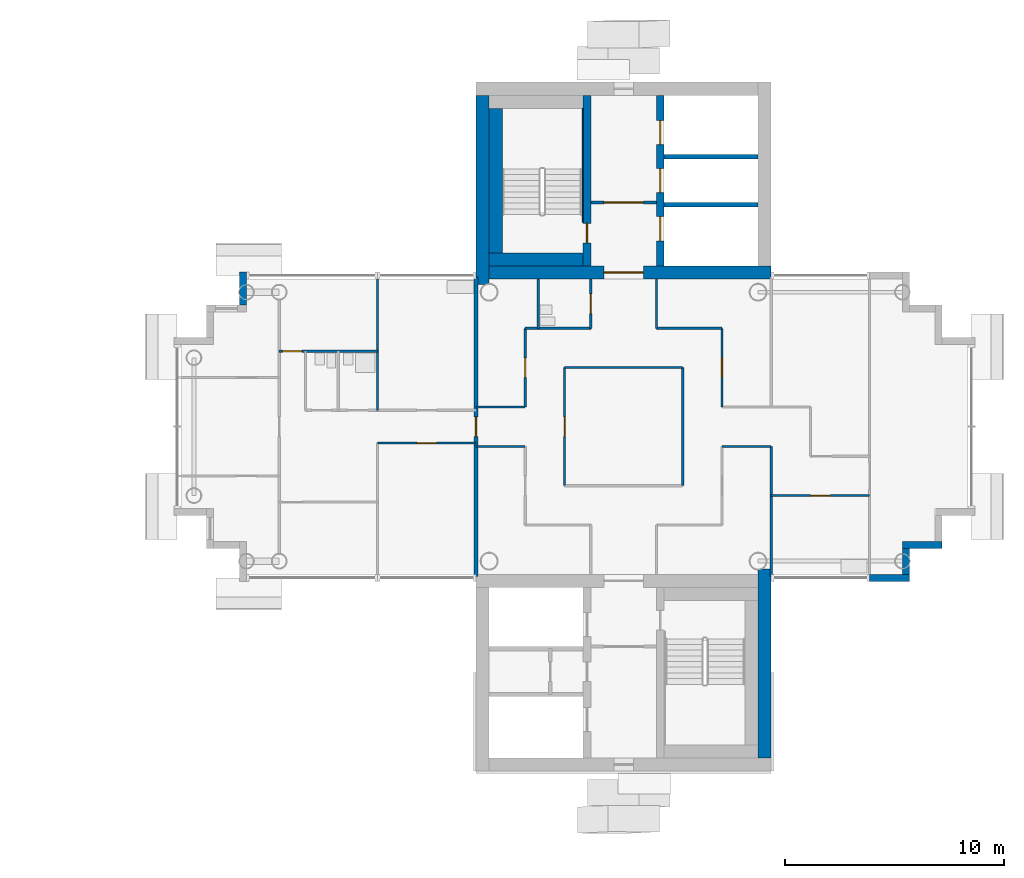
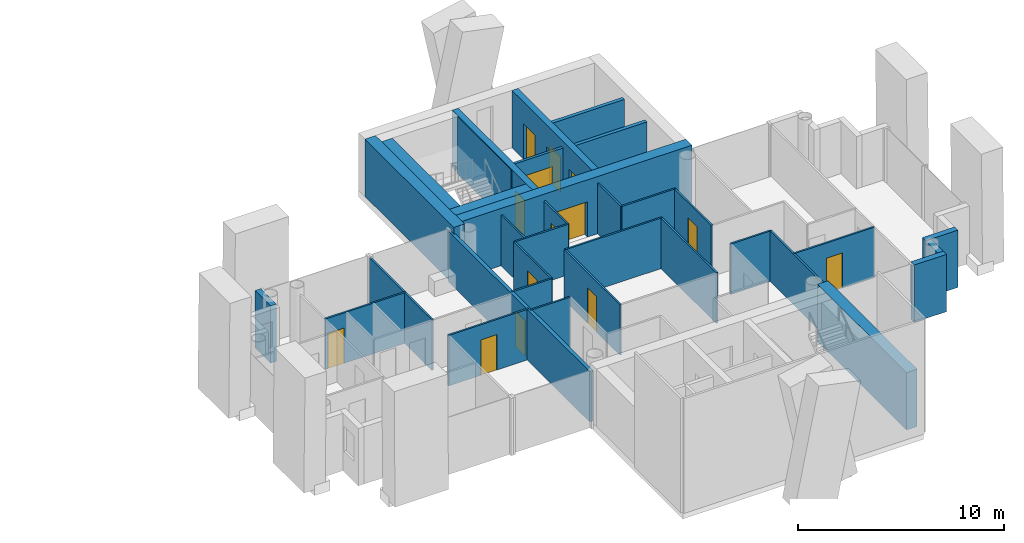
# One storey, part 10 of 18: 34 walls, 14 doors, 14 openings.
"""IFC4 building model written with IfcOpenShell, lengths in metres."""

from ifc_helpers import new_model, si_unit, direction, frame, frame_2d, origin, place, context, subcontext, project, spatial, rectangle, extrude, material, layer, layer_set, type_object, element, fill, save


model = new_model("IFC4")

# Units and contexts
model_context = context("Model", 3, precision=1e-05, world=origin(), true_north=direction((0.0, 1.0)))
body_context = subcontext(model_context, "Body", "Model", "MODEL_VIEW")
ifc_project = project(units=[si_unit("LENGTHUNIT", "METRE"), si_unit("AREAUNIT", "SQUARE_METRE"), si_unit("VOLUMEUNIT", "CUBIC_METRE"), si_unit("PLANEANGLEUNIT", "RADIAN"), si_unit("MASSUNIT", "GRAM", prefix="KILO")], contexts=[model_context])

# Site, building, storey
site_placement = place(None, origin())
site = spatial("IfcSite", under=ifc_project, at=site_placement, CompositionType="ELEMENT")
building_placement = place(site_placement, origin())
building = spatial("IfcBuilding", under=site, at=building_placement, Name="Ipe Terrace Towers", CompositionType="ELEMENT")
storey_placement = place(building_placement, frame((0.0, 0.0, 202.800048828125)))
storey = spatial("IfcBuildingStorey", under=building, at=storey_placement, Name="L56", CompositionType="ELEMENT", Elevation=202.800048828125)

# Walls
ifc_material_1 = material(Name="Concrete C40/50 with buff precast cladding", Category="concrete")
ifc_layer_1 = layer(ifc_material_1, 0.320068359375)
ifc_layer_set_1 = layer_set([ifc_layer_1], Name="BUFF CLADDING WALL 320")
wall_type_1 = type_object("IfcWallType", Name="BUFF CLADDING WALL 320", PredefinedType="STANDARD", material=ifc_layer_set_1)
wall_1_placement = place(storey_placement, frame((47.25, -6.909912109375, -0.300048828125), z_axis=(0.0, 0.0, 1.0), x_axis=(1.0, 0.0, 0.0)))
element("IfcWall", 1, at=wall_1_placement, inside=storey, type_object=wall_type_1, Name="T2-W-L56-03a wall", PredefinedType="STANDARD", context=body_context, shape_type="SweptSolid", body=[
    extrude(rectangle(XDim=1.820068359375, YDim=0.320068359375, at=frame_2d((0.91015625, 0.0))), origin(), (0.0, 0.0, 1.0), 3.39990234375),
])
wall_2_placement = place(storey_placement, frame((48.909912109375, -6.75, -0.300048828125), z_axis=(0.0, 0.0, 1.0), x_axis=(0.0, 1.0, 0.0)))
element("IfcWall", 2, at=wall_2_placement, inside=storey, type_object=wall_type_1, Name="T2-W-L56-04a wall", PredefinedType="STANDARD", context=body_context, shape_type="SweptSolid", body=[
    extrude(rectangle(XDim=1.179931640625, YDim=0.320068359375, at=frame_2d((0.58984375, 0.0))), origin(), (0.0, 0.0, 1.0), 3.39990234375),
])
wall_3_placement = place(storey_placement, frame((48.75, -5.409912109375, -0.300048828125), z_axis=(0.0, 0.0, 1.0), x_axis=(1.0, 0.0, 0.0)))
element("IfcWall", 3, at=wall_3_placement, inside=storey, type_object=wall_type_1, Name="T2-W-L56-05a wall", PredefinedType="STANDARD", context=body_context, shape_type="SweptSolid", body=[
    extrude(rectangle(XDim=1.820068359375, YDim=0.320068359375, at=frame_2d((0.91015625, 0.0))), origin(), (0.0, 0.0, 1.0), 3.39990234375),
])
wall_4_placement = place(storey_placement, frame((18.590087890625, 7.070068359375, -0.300048828125), z_axis=(0.0, 0.0, 1.0), x_axis=(0.0, -1.0, 0.0)))
element("IfcWall", 4, at=wall_4_placement, inside=storey, type_object=wall_type_1, Name="T2-W-L56-22a wall", PredefinedType="STANDARD", context=body_context, shape_type="SweptSolid", body=[
    extrude(rectangle(XDim=1.5, YDim=0.320068359375, at=frame_2d((0.75, 0.0))), origin(), (0.0, 0.0, 1.0), 3.39990234375),
])

# Wall, opening, door
ifc_material_2 = material(Name="Gypsum board partition", Category="plasterboard")
ifc_layer_2 = layer(ifc_material_2, 0.10009765625)
ifc_layer_set_2 = layer_set([ifc_layer_2], Name="Gypsum board partition 100 mm")
wall_type_2 = type_object("IfcWallType", Name="Gypsum board partition 100 mm", PredefinedType="PARTITIONING", material=ifc_layer_set_2)
wall_5_placement = place(storey_placement, frame((47.25, -3.14990234375, 0.0), z_axis=(0.0, 0.0, 1.0), x_axis=(-1.0, 0.0, 0.0)))
wall_5 = element("IfcWall", 5, at=wall_5_placement, inside=storey, type_object=wall_type_2, Name="Gypsum board partition T2 L56 W04", PredefinedType="PARTITIONING", context=body_context, shape_type="SweptSolid", body=[
    extrude(rectangle(XDim=4.5, YDim=0.10009765625, at=frame_2d((2.25, 0.0))), origin(), (0.0, 0.0, 1.0), 3.0),
])
opening_1_placement = place(wall_5_placement, frame((1.800048828125, 0.0, 0.0)))
opening_1 = element("IfcOpeningElement", 6, at=opening_1_placement, cuts=wall_5, Name="Opening T2-Z4D-18", PredefinedType="OPENING", context=body_context, shape_type="SweptSolid", body=[
    extrude(rectangle(XDim=0.89990234375, YDim=2.10009765625, at=frame_2d((0.449951171875, 1.050048828125))), frame((0.0, 0.06005859375, 0.0), z_axis=(0.0, -1.0, 0.0), x_axis=(1.0, 0.0, 0.0)), (0.0, 0.0, 1.0), 0.1201171875),
])
ifc_material_3 = material(Name="Timber door leaf", Category="wood")
door_type_1 = type_object("IfcDoorType", Name="Lounge door 900 x 2100", OperationType="NOTDEFINED", PredefinedType="DOOR", material=ifc_material_3)
door_1_placement = place(opening_1_placement, origin())
door_1 = element("IfcDoor", 7, at=door_1_placement, inside=storey, type_object=door_type_1, Name="Lounge door T2-Z4D-18", OperationType="SINGLE_SWING_LEFT", OverallHeight=2.10009765625, OverallWidth=0.89990234375, PredefinedType="DOOR", context=body_context, shape_type="SweptSolid", body=[
    extrude(rectangle(XDim=0.89990234375, YDim=2.10009765625, at=frame_2d((0.449951171875, 1.050048828125))), frame((0.0, 0.02490234375, 0.0), z_axis=(0.0, -1.0, 0.0), x_axis=(1.0, 0.0, 0.0)), (0.0, 0.0, 1.0), 0.050048828125),
])
fill(opening_1, door_1)

# Walls
for number, where, z_axis, x_axis, name in (
    (8, (42.75, -0.89990234375, 0.0), (0.0, 0.0, 1.0), (-1.0, 0.0, 0.0), "Gypsum board partition T2 L56 W08"),
    (9, (31.5, -0.89990234375, 0.0), (0.0, 0.0, 1.0), (-1.0, 0.0, 0.0), "Gypsum board partition T2 L56 W09"),
):
    element("IfcWall", number, at=place(storey_placement, frame(where, z_axis=z_axis, x_axis=x_axis)), inside=storey, type_object=wall_type_2, Name=name, PredefinedType="PARTITIONING", context=body_context, shape_type="SweptSolid", body=[
        extrude(rectangle(XDim=2.25, YDim=0.10009765625, at=frame_2d((1.125, 0.0))), origin(), (0.0, 0.0, 1.0), 3.0),
    ])

# Wall, opening, door
wall_6_placement = place(storey_placement, frame((29.25, -0.75, 0.0), z_axis=(0.0, 0.0, 1.0), x_axis=(-1.0, 0.0, 0.0)))
wall_6 = element("IfcWall", 10, at=wall_6_placement, inside=storey, type_object=wall_type_2, Name="Gypsum board partition T2 L56 W10", PredefinedType="PARTITIONING", context=body_context, shape_type="SweptSolid", body=[
    extrude(rectangle(XDim=4.5, YDim=0.10009765625, at=frame_2d((2.25, 0.0))), origin(), (0.0, 0.0, 1.0), 3.0),
])
opening_2_placement = place(wall_6_placement, frame((1.800048828125, 0.0, 0.0)))
opening_2 = element("IfcOpeningElement", 11, at=opening_2_placement, cuts=wall_6, Name="Opening T2-Z4D-07", PredefinedType="OPENING", context=body_context, shape_type="SweptSolid", body=[
    extrude(rectangle(XDim=0.89990234375, YDim=2.10009765625, at=frame_2d((0.449951171875, 1.050048828125))), frame((0.0, 0.06005859375, 0.0), z_axis=(0.0, -1.0, 0.0), x_axis=(1.0, 0.0, 0.0)), (0.0, 0.0, 1.0), 0.1201171875),
])
door_2_placement = place(opening_2_placement, origin())
door_2 = element("IfcDoor", 12, at=door_2_placement, inside=storey, type_object=door_type_1, Name="Lounge door T2-Z4D-07", OperationType="SINGLE_SWING_LEFT", OverallHeight=2.10009765625, OverallWidth=0.89990234375, PredefinedType="DOOR", context=body_context, shape_type="SweptSolid", body=[
    extrude(rectangle(XDim=0.89990234375, YDim=2.10009765625, at=frame_2d((0.449951171875, 1.050048828125))), frame((0.0, 0.02490234375, 0.0), z_axis=(0.0, -1.0, 0.0), x_axis=(1.0, 0.0, 0.0)), (0.0, 0.0, 1.0), 0.050048828125),
])
fill(opening_2, door_2)

# Walls
wall_7_placement = place(storey_placement, frame((31.5, 0.89990234375, 0.0), z_axis=(0.0, 0.0, 1.0), x_axis=(-1.0, 0.0, 0.0)))
element("IfcWall", 13, at=wall_7_placement, inside=storey, type_object=wall_type_2, Name="Gypsum board partition T2 L56 W13", PredefinedType="PARTITIONING", context=body_context, shape_type="SweptSolid", body=[
    extrude(rectangle(XDim=2.25, YDim=0.10009765625, at=frame_2d((1.125, 0.0))), origin(), (0.0, 0.0, 1.0), 3.0),
])
wall_8_placement = place(storey_placement, frame((38.699951171875, 2.699951171875, 0.0), z_axis=(0.0, 0.0, 1.0), x_axis=(-1.0, 0.0, 0.0)))
element("IfcWall", 14, at=wall_8_placement, inside=storey, type_object=wall_type_2, Name="Gypsum board partition T2 L56 W15", PredefinedType="PARTITIONING", context=body_context, shape_type="SweptSolid", body=[
    extrude(rectangle(XDim=5.39990234375, YDim=0.10009765625, at=frame_2d((2.699951171875, 0.0))), origin(), (0.0, 0.0, 1.0), 3.0),
])

# Wall, opening, door
wall_9_placement = place(storey_placement, frame((24.75, 3.449951171875, 0.0), z_axis=(0.0, 0.0, 1.0), x_axis=(-1.0, 0.0, 0.0)))
wall_9 = element("IfcWall", 15, at=wall_9_placement, inside=storey, type_object=wall_type_2, Name="Gypsum board partition T2 L56 W16", PredefinedType="PARTITIONING", context=body_context, shape_type="SweptSolid", body=[
    extrude(rectangle(XDim=4.5, YDim=0.10009765625, at=frame_2d((2.25, 0.0))), origin(), (0.0, 0.0, 1.0), 3.0),
])
opening_3_placement = place(wall_9_placement, frame((3.449951171875, 0.0, 0.0)))
opening_3 = element("IfcOpeningElement", 16, at=opening_3_placement, cuts=wall_9, Name="Opening T2-Z4D-13", PredefinedType="OPENING", context=body_context, shape_type="SweptSolid", body=[
    extrude(rectangle(XDim=0.89990234375, YDim=2.10009765625, at=frame_2d((0.449951171875, 1.050048828125))), frame((0.0, 0.06005859375, 0.0), z_axis=(0.0, -1.0, 0.0), x_axis=(1.0, 0.0, 0.0)), (0.0, 0.0, 1.0), 0.1201171875),
])
ifc_material_4 = material(Name="Timber door leaf", Category="wood")
door_type_2 = type_object("IfcDoorType", Name="Bedroom door 900 x 2100", OperationType="NOTDEFINED", PredefinedType="DOOR", material=ifc_material_4)
door_3_placement = place(opening_3_placement, origin())
door_3 = element("IfcDoor", 17, at=door_3_placement, inside=storey, type_object=door_type_2, Name="Bedroom door T2-Z4D-13", OperationType="SINGLE_SWING_RIGHT", OverallHeight=2.10009765625, OverallWidth=0.89990234375, PredefinedType="DOOR", context=body_context, shape_type="SweptSolid", body=[
    extrude(rectangle(XDim=0.89990234375, YDim=2.10009765625, at=frame_2d((0.449951171875, 1.050048828125))), frame((0.0, 0.02490234375, 0.0), z_axis=(0.0, -1.0, 0.0), x_axis=(1.0, 0.0, 0.0)), (0.0, 0.0, 1.0), 0.050048828125),
])
fill(opening_3, door_3)

# Walls
for number, where, z_axis, x_axis, name in (
    (18, (40.5, 4.5, 0.0), (0.0, 0.0, 1.0), (-1.0, 0.0, 0.0), "Gypsum board partition T2 L56 W17"),
    (19, (34.5, 4.5, 0.0), (0.0, 0.0, 1.0), (-1.0, 0.0, 0.0), "Gypsum board partition T2 L56 W18"),
):
    element("IfcWall", number, at=place(storey_placement, frame(where, z_axis=z_axis, x_axis=x_axis)), inside=storey, type_object=wall_type_2, Name=name, PredefinedType="PARTITIONING", context=body_context, shape_type="SweptSolid", body=[
        extrude(rectangle(XDim=3.0, YDim=0.10009765625, at=frame_2d((1.5, 0.0))), origin(), (0.0, 0.0, 1.0), 3.0),
    ])
wall_10_placement = place(storey_placement, frame((42.75, -6.85009765625, 0.0), z_axis=(0.0, 0.0, 1.0), x_axis=(0.0, 1.0, 0.0)))
element("IfcWall", 20, at=wall_10_placement, inside=storey, type_object=wall_type_2, Name="Gypsum board partition T2 L56 W21", PredefinedType="PARTITIONING", context=body_context, shape_type="SweptSolid", body=[
    extrude(rectangle(XDim=5.9501953125, YDim=0.10009765625, at=frame_2d((2.97509765625, 0.0))), origin(), (0.0, 0.0, 1.0), 3.0),
])

# Wall, opening, door
wall_11_placement = place(storey_placement, frame((40.5, 0.89990234375, 0.0), z_axis=(0.0, 0.0, 1.0), x_axis=(0.0, 1.0, 0.0)))
wall_11 = element("IfcWall", 21, at=wall_11_placement, inside=storey, type_object=wall_type_2, Name="Gypsum board partition T2 L56 W24", PredefinedType="PARTITIONING", context=body_context, shape_type="SweptSolid", body=[
    extrude(rectangle(XDim=3.60009765625, YDim=0.10009765625, at=frame_2d((1.800048828125, 0.0))), origin(), (0.0, 0.0, 1.0), 3.0),
])
opening_4_placement = place(wall_11_placement, frame((1.35009765625, 0.0, 0.0)))
opening_4 = element("IfcOpeningElement", 22, at=opening_4_placement, cuts=wall_11, Name="Opening T2-Z4D-06", PredefinedType="OPENING", context=body_context, shape_type="SweptSolid", body=[
    extrude(rectangle(XDim=0.89990234375, YDim=2.10009765625, at=frame_2d((0.449951171875, 1.050048828125))), frame((0.0, 0.06005859375, 0.0), z_axis=(0.0, -1.0, 0.0), x_axis=(1.0, 0.0, 0.0)), (0.0, 0.0, 1.0), 0.1201171875),
])
door_4_placement = place(opening_4_placement, origin())
door_4 = element("IfcDoor", 23, at=door_4_placement, inside=storey, type_object=door_type_1, Name="Lounge door T2-Z4D-06", OperationType="SINGLE_SWING_LEFT", OverallHeight=2.10009765625, OverallWidth=0.89990234375, PredefinedType="DOOR", context=body_context, shape_type="SweptSolid", body=[
    extrude(rectangle(XDim=0.89990234375, YDim=2.10009765625, at=frame_2d((0.449951171875, 1.050048828125))), frame((0.0, 0.02490234375, 0.0), z_axis=(0.0, -1.0, 0.0), x_axis=(1.0, 0.0, 0.0)), (0.0, 0.0, 1.0), 0.050048828125),
])
fill(opening_4, door_4)

# Walls
wall_12_placement = place(storey_placement, frame((38.699951171875, -2.699951171875, 0.0), z_axis=(0.0, 0.0, 1.0), x_axis=(0.0, 1.0, 0.0)))
element("IfcWall", 24, at=wall_12_placement, inside=storey, type_object=wall_type_2, Name="Gypsum board partition T2 L56 W25", PredefinedType="PARTITIONING", context=body_context, shape_type="SweptSolid", body=[
    extrude(rectangle(XDim=5.39990234375, YDim=0.10009765625, at=frame_2d((2.699951171875, 0.0))), origin(), (0.0, 0.0, 1.0), 3.0),
])
wall_13_placement = place(storey_placement, frame((37.5, 4.5, 0.0), z_axis=(0.0, 0.0, 1.0), x_axis=(0.0, 1.0, 0.0)))
element("IfcWall", 25, at=wall_13_placement, inside=storey, type_object=wall_type_2, Name="Gypsum board partition T2 L56 W27", PredefinedType="PARTITIONING", context=body_context, shape_type="SweptSolid", body=[
    extrude(rectangle(XDim=2.25, YDim=0.10009765625, at=frame_2d((1.125, 0.0))), origin(), (0.0, 0.0, 1.0), 3.0),
])

# Wall, opening, door
wall_14_placement = place(storey_placement, frame((34.5, 4.5, 0.0), z_axis=(0.0, 0.0, 1.0), x_axis=(0.0, 1.0, 0.0)))
wall_14 = element("IfcWall", 26, at=wall_14_placement, inside=storey, type_object=wall_type_2, Name="Gypsum board partition T2 L56 W29", PredefinedType="PARTITIONING", context=body_context, shape_type="SweptSolid", body=[
    extrude(rectangle(XDim=2.25, YDim=0.10009765625, at=frame_2d((1.125, 0.0))), origin(), (0.0, 0.0, 1.0), 3.0),
])
opening_5_placement = place(wall_14_placement, frame((0.675048828125, 0.0, 0.0)))
opening_5 = element("IfcOpeningElement", 27, at=opening_5_placement, cuts=wall_14, Name="Opening T2-Z4D-02", PredefinedType="OPENING", context=body_context, shape_type="SweptSolid", body=[
    extrude(rectangle(XDim=0.89990234375, YDim=2.10009765625, at=frame_2d((0.449951171875, 1.050048828125))), frame((0.0, 0.06005859375, 0.0), z_axis=(0.0, -1.0, 0.0), x_axis=(1.0, 0.0, 0.0)), (0.0, 0.0, 1.0), 0.1201171875),
])
ifc_material_5 = material(Name="Timber door leaf", Category="wood")
door_type_3 = type_object("IfcDoorType", Name="Bathroom door 900 x 2100", OperationType="NOTDEFINED", PredefinedType="DOOR", material=ifc_material_5)
door_5_placement = place(opening_5_placement, origin())
door_5 = element("IfcDoor", 28, at=door_5_placement, inside=storey, type_object=door_type_3, Name="Bathroom door T2-Z4D-02", OperationType="SINGLE_SWING_LEFT", OverallHeight=2.10009765625, OverallWidth=0.89990234375, PredefinedType="DOOR", context=body_context, shape_type="SweptSolid", body=[
    extrude(rectangle(XDim=0.89990234375, YDim=2.10009765625, at=frame_2d((0.449951171875, 1.050048828125))), frame((0.0, 0.02490234375, 0.0), z_axis=(0.0, -1.0, 0.0), x_axis=(1.0, 0.0, 0.0)), (0.0, 0.0, 1.0), 0.050048828125),
])
fill(opening_5, door_5)

wall_15_placement = place(storey_placement, frame((33.300048828125, -2.699951171875, 0.0), z_axis=(0.0, 0.0, 1.0), x_axis=(0.0, 1.0, 0.0)))
wall_15 = element("IfcWall", 29, at=wall_15_placement, inside=storey, type_object=wall_type_2, Name="Gypsum board partition T2 L56 W30", PredefinedType="PARTITIONING", context=body_context, shape_type="SweptSolid", body=[
    extrude(rectangle(XDim=5.39990234375, YDim=0.10009765625, at=frame_2d((2.699951171875, 0.0))), origin(), (0.0, 0.0, 1.0), 3.0),
])
opening_6_placement = place(wall_15_placement, frame((2.25, 0.0, 0.0)))
opening_6 = element("IfcOpeningElement", 30, at=opening_6_placement, cuts=wall_15, Name="Opening T2-Z4D-01", PredefinedType="OPENING", context=body_context, shape_type="SweptSolid", body=[
    extrude(rectangle(XDim=0.89990234375, YDim=2.10009765625, at=frame_2d((0.449951171875, 1.050048828125))), frame((0.0, 0.06005859375, 0.0), z_axis=(0.0, -1.0, 0.0), x_axis=(1.0, 0.0, 0.0)), (0.0, 0.0, 1.0), 0.1201171875),
])
door_6_placement = place(opening_6_placement, origin())
door_6 = element("IfcDoor", 31, at=door_6_placement, inside=storey, type_object=door_type_1, Name="Lounge door T2-Z4D-01", OperationType="SINGLE_SWING_RIGHT", OverallHeight=2.10009765625, OverallWidth=0.89990234375, PredefinedType="DOOR", context=body_context, shape_type="SweptSolid", body=[
    extrude(rectangle(XDim=0.89990234375, YDim=2.10009765625, at=frame_2d((0.449951171875, 1.050048828125))), frame((0.0, 0.02490234375, 0.0), z_axis=(0.0, -1.0, 0.0), x_axis=(1.0, 0.0, 0.0)), (0.0, 0.0, 1.0), 0.050048828125),
])
fill(opening_6, door_6)

# Wall
wall_16_placement = place(storey_placement, frame((32.10009765625, 4.5, 0.0), z_axis=(0.0, 0.0, 1.0), x_axis=(0.0, 1.0, 0.0)))
element("IfcWall", 32, at=wall_16_placement, inside=storey, type_object=wall_type_2, Name="Gypsum board partition T2 L56 W31", PredefinedType="PARTITIONING", context=body_context, shape_type="SweptSolid", body=[
    extrude(rectangle(XDim=2.25, YDim=0.10009765625, at=frame_2d((1.125, 0.0))), origin(), (0.0, 0.0, 1.0), 3.0),
])

# Wall, opening, door
wall_17_placement = place(storey_placement, frame((31.5, 0.89990234375, 0.0), z_axis=(0.0, 0.0, 1.0), x_axis=(0.0, 1.0, 0.0)))
wall_17 = element("IfcWall", 33, at=wall_17_placement, inside=storey, type_object=wall_type_2, Name="Gypsum board partition T2 L56 W33", PredefinedType="PARTITIONING", context=body_context, shape_type="SweptSolid", body=[
    extrude(rectangle(XDim=3.60009765625, YDim=0.10009765625, at=frame_2d((1.800048828125, 0.0))), origin(), (0.0, 0.0, 1.0), 3.0),
])
opening_7_placement = place(wall_17_placement, frame((1.35009765625, 0.0, 0.0)))
opening_7 = element("IfcOpeningElement", 34, at=opening_7_placement, cuts=wall_17, Name="Opening T2-Z4D-03", PredefinedType="OPENING", context=body_context, shape_type="SweptSolid", body=[
    extrude(rectangle(XDim=0.89990234375, YDim=2.10009765625, at=frame_2d((0.449951171875, 1.050048828125))), frame((0.0, 0.06005859375, 0.0), z_axis=(0.0, -1.0, 0.0), x_axis=(1.0, 0.0, 0.0)), (0.0, 0.0, 1.0), 0.1201171875),
])
door_7_placement = place(opening_7_placement, origin())
door_7 = element("IfcDoor", 35, at=door_7_placement, inside=storey, type_object=door_type_1, Name="Lounge door T2-Z4D-03", OperationType="SINGLE_SWING_LEFT", OverallHeight=2.10009765625, OverallWidth=0.89990234375, PredefinedType="DOOR", context=body_context, shape_type="SweptSolid", body=[
    extrude(rectangle(XDim=0.89990234375, YDim=2.10009765625, at=frame_2d((0.449951171875, 1.050048828125))), frame((0.0, 0.02490234375, 0.0), z_axis=(0.0, -1.0, 0.0), x_axis=(1.0, 0.0, 0.0)), (0.0, 0.0, 1.0), 0.050048828125),
])
fill(opening_7, door_7)

# Wall
wall_18_placement = place(storey_placement, frame((24.75, 0.75, 0.0), z_axis=(0.0, 0.0, 1.0), x_axis=(0.0, 1.0, 0.0)))
element("IfcWall", 36, at=wall_18_placement, inside=storey, type_object=wall_type_2, Name="Gypsum board partition T2 L56 W36", PredefinedType="PARTITIONING", context=body_context, shape_type="SweptSolid", body=[
    extrude(rectangle(XDim=6.10009765625, YDim=0.10009765625, at=frame_2d((3.050048828125, 0.0))), origin(), (0.0, 0.0, 1.0), 3.0),
])

# Wall, opening, door
ifc_material_6 = material(Name="Gypsum board partition", Category="plasterboard")
ifc_layer_3 = layer(ifc_material_6, 0.14990234375)
ifc_layer_set_3 = layer_set([ifc_layer_3], Name="Gypsum board partition 150 mm")
wall_type_3 = type_object("IfcWallType", Name="Gypsum board partition 150 mm", PredefinedType="PARTITIONING", material=ifc_layer_set_3)
wall_19_placement = place(storey_placement, frame((37.5, 10.25, 0.0), z_axis=(0.0, 0.0, 1.0), x_axis=(-1.0, 0.0, 0.0)))
wall_19 = element("IfcWall", 37, at=wall_19_placement, inside=storey, type_object=wall_type_3, Name="Gypsum board partition T2 L56 t2c1-lobby-wall", PredefinedType="PARTITIONING", context=body_context, shape_type="SweptSolid", body=[
    extrude(rectangle(XDim=3.0, YDim=0.14990234375, at=frame_2d((1.5, 0.0))), origin(), (0.0, 0.0, 1.0), 3.0),
])
opening_8_placement = place(wall_19_placement, frame((0.60009765625, 0.0, 0.0)))
opening_8 = element("IfcOpeningElement", 38, at=opening_8_placement, cuts=wall_19, Name="Opening T2C1-VD", PredefinedType="OPENING", context=body_context, shape_type="SweptSolid", body=[
    extrude(rectangle(XDim=1.800048828125, YDim=2.10009765625, at=frame_2d((0.89990234375, 1.050048828125))), frame((0.0, 0.0849609375, 0.0), z_axis=(0.0, -1.0, 0.0), x_axis=(1.0, 0.0, 0.0)), (0.0, 0.0, 1.0), 0.169921875),
])
ifc_material_7 = material(Name="Fire-rated timber door leaf", Category="wood")
door_type_4 = type_object("IfcDoorType", Name="Lobby door 1800 x 2100 FD60", OperationType="NOTDEFINED", PredefinedType="DOOR", material=ifc_material_7)
door_8_placement = place(opening_8_placement, origin())
door_8 = element("IfcDoor", 39, at=door_8_placement, inside=storey, type_object=door_type_4, Name="Lobby door T2C1-VD", OperationType="SINGLE_SWING_LEFT", OverallHeight=2.10009765625, OverallWidth=1.800048828125, PredefinedType="DOOR", context=body_context, shape_type="SweptSolid", body=[
    extrude(rectangle(XDim=1.800048828125, YDim=2.10009765625, at=frame_2d((0.89990234375, 1.050048828125))), frame((0.0, 0.02490234375, 0.0), z_axis=(0.0, -1.0, 0.0), x_axis=(1.0, 0.0, 0.0)), (0.0, 0.0, 1.0), 0.050048828125),
])
fill(opening_8, door_8)

# Walls
ifc_material_8 = material(Name="Gypsum board party wall", Category="plasterboard")
ifc_layer_4 = layer(ifc_material_8, 0.199951171875)
ifc_layer_set_4 = layer_set([ifc_layer_4], Name="Gypsum board party wall 200 mm")
wall_type_4 = type_object("IfcWallType", Name="Gypsum board party wall 200 mm", PredefinedType="SOLIDWALL", material=ifc_layer_set_4)
for number, where, z_axis, x_axis, name in (
    (40, (42.14990234375, 10.14990234375, 0.0), (0.0, 0.0, 1.0), (-1.0, 0.0, 0.0), "Gypsum board party wall T2 L56 t2c1-shaft-div1"),
    (41, (42.14990234375, 12.35009765625, 0.0), (0.0, 0.0, 1.0), (-1.0, 0.0, 0.0), "Gypsum board party wall T2 L56 t2c1-shaft-div2"),
):
    element("IfcWall", number, at=place(storey_placement, frame(where, z_axis=z_axis, x_axis=x_axis)), inside=storey, type_object=wall_type_4, Name=name, PredefinedType="SOLIDWALL", context=body_context, shape_type="SweptSolid", body=[
        extrude(rectangle(XDim=4.2998046875, YDim=0.199951171875, at=frame_2d((2.14990234375, 0.0))), origin(), (0.0, 0.0, 1.0), 3.0),
    ])

# Wall, opening, door
wall_20_placement = place(storey_placement, frame((29.25, -6.85009765625, 0.0), z_axis=(0.0, 0.0, 1.0), x_axis=(0.0, 1.0, 0.0)))
wall_20 = element("IfcWall", 42, at=wall_20_placement, inside=storey, type_object=wall_type_4, Name="Gypsum board party wall T2 L56 W34", PredefinedType="SOLIDWALL", context=body_context, shape_type="SweptSolid", body=[
    extrude(rectangle(XDim=13.7001953125, YDim=0.199951171875, at=frame_2d((6.85009765625, 0.0))), origin(), (0.0, 0.0, 1.0), 3.0),
])
opening_9_placement = place(wall_20_placement, frame((6.39990234375, 0.0, 0.0)))
opening_9 = element("IfcOpeningElement", 43, at=opening_9_placement, cuts=wall_20, Name="Opening T2-Z4D-09", PredefinedType="OPENING", context=body_context, shape_type="SweptSolid", body=[
    extrude(rectangle(XDim=0.89990234375, YDim=2.10009765625, at=frame_2d((0.449951171875, 1.050048828125))), frame((0.0, 0.10986328125, 0.0), z_axis=(0.0, -1.0, 0.0), x_axis=(1.0, 0.0, 0.0)), (0.0, 0.0, 1.0), 0.219970703125),
])
ifc_material_9 = material(Name="Fire-rated timber door leaf", Category="wood")
door_type_5 = type_object("IfcDoorType", Name="Flat entrance door 900 x 2100 FD30S", OperationType="NOTDEFINED", PredefinedType="DOOR", material=ifc_material_9)
door_9_placement = place(opening_9_placement, origin())
door_9 = element("IfcDoor", 44, at=door_9_placement, inside=storey, type_object=door_type_5, Name="Flat entrance door T2-Z4D-09", OperationType="SINGLE_SWING_LEFT", OverallHeight=2.10009765625, OverallWidth=0.89990234375, PredefinedType="DOOR", context=body_context, shape_type="SweptSolid", body=[
    extrude(rectangle(XDim=0.89990234375, YDim=2.10009765625, at=frame_2d((0.449951171875, 1.050048828125))), frame((0.0, 0.02490234375, 0.0), z_axis=(0.0, -1.0, 0.0), x_axis=(1.0, 0.0, 0.0)), (0.0, 0.0, 1.0), 0.050048828125),
])
fill(opening_9, door_9)

ifc_material_10 = material(Name="Concrete C40/50", Category="concrete")
ifc_layer_5 = layer(ifc_material_10, 0.35009765625)
ifc_layer_set_5 = layer_set([ifc_layer_5], Name="RW350 CORE SPINE WALL 350 C40-50")
wall_type_5 = type_object("IfcWallType", Name="RW350 CORE SPINE WALL 350 C40-50", PredefinedType="SHEAR", material=ifc_layer_set_5)
wall_21_placement = place(storey_placement, frame((34.324951171875, 7.35009765625, 0.0), z_axis=(0.0, 0.0, 1.0), x_axis=(0.0, 1.0, 0.0)))
wall_21 = element("IfcWall", 45, at=wall_21_placement, inside=storey, type_object=wall_type_5, Name="Core spine wall T2-C1-Z4-SW1", PredefinedType="SHEAR", context=body_context, shape_type="SweptSolid", body=[
    extrude(rectangle(XDim=7.7998046875, YDim=0.35009765625, at=frame_2d((3.89990234375, 0.0))), origin(), (0.0, 0.0, 1.0), 3.39990234375),
])
opening_10_placement = place(wall_21_placement, frame((1.050048828125, 0.0, 0.0)))
opening_10 = element("IfcOpeningElement", 46, at=opening_10_placement, cuts=wall_21, Name="Opening T2C1-SD", PredefinedType="OPENING", context=body_context, shape_type="SweptSolid", body=[
    extrude(rectangle(XDim=0.89990234375, YDim=2.10009765625, at=frame_2d((0.449951171875, 1.050048828125))), frame((0.0, 0.18505859375, 0.0), z_axis=(0.0, -1.0, 0.0), x_axis=(1.0, 0.0, 0.0)), (0.0, 0.0, 1.0), 0.3701171875),
])
ifc_material_11 = material(Name="Fire-rated timber door leaf", Category="wood")
door_type_6 = type_object("IfcDoorType", Name="Stair door 900 x 2100 FD60", OperationType="NOTDEFINED", PredefinedType="DOOR", material=ifc_material_11)
door_10_placement = place(opening_10_placement, origin())
door_10 = element("IfcDoor", 47, at=door_10_placement, inside=storey, type_object=door_type_6, Name="Stair door T2C1-SD", OperationType="SINGLE_SWING_LEFT", OverallHeight=2.10009765625, OverallWidth=0.89990234375, PredefinedType="DOOR", context=body_context, shape_type="SweptSolid", body=[
    extrude(rectangle(XDim=0.89990234375, YDim=2.10009765625, at=frame_2d((0.449951171875, 1.050048828125))), frame((0.0, 0.02490234375, 0.0), z_axis=(0.0, -1.0, 0.0), x_axis=(1.0, 0.0, 0.0)), (0.0, 0.0, 1.0), 0.050048828125),
])
fill(opening_10, door_10)

# Wall, openings, doors
wall_22_placement = place(storey_placement, frame((37.675048828125, 7.35009765625, 0.0), z_axis=(0.0, 0.0, 1.0), x_axis=(0.0, 1.0, 0.0)))
wall_22 = element("IfcWall", 48, at=wall_22_placement, inside=storey, type_object=wall_type_5, Name="Core spine wall T2-C1-Z4-SW2", PredefinedType="SHEAR", context=body_context, shape_type="SweptSolid", body=[
    extrude(rectangle(XDim=7.7998046875, YDim=0.35009765625, at=frame_2d((3.89990234375, 0.0))), origin(), (0.0, 0.0, 1.0), 3.39990234375),
])
opening_11_placement = place(wall_22_placement, frame((1.14990234375, 0.0, 0.0)))
opening_11 = element("IfcOpeningElement", 49, at=opening_11_placement, cuts=wall_22, Name="Opening T2C1-LD1", PredefinedType="OPENING", context=body_context, shape_type="SweptSolid", body=[
    extrude(rectangle(XDim=1.10009765625, YDim=2.10009765625, at=frame_2d((0.550048828125, 1.050048828125))), frame((0.0, 0.18505859375, 0.0), z_axis=(0.0, -1.0, 0.0), x_axis=(1.0, 0.0, 0.0)), (0.0, 0.0, 1.0), 0.3701171875),
])
opening_12_placement = place(wall_22_placement, frame((3.35009765625, 0.0, 0.0)))
opening_12 = element("IfcOpeningElement", 50, at=opening_12_placement, cuts=wall_22, Name="Opening T2C1-LD2", PredefinedType="OPENING", context=body_context, shape_type="SweptSolid", body=[
    extrude(rectangle(XDim=1.10009765625, YDim=2.10009765625, at=frame_2d((0.550048828125, 1.050048828125))), frame((0.0, 0.18505859375, 0.0), z_axis=(0.0, -1.0, 0.0), x_axis=(1.0, 0.0, 0.0)), (0.0, 0.0, 1.0), 0.3701171875),
])
opening_13_placement = place(wall_22_placement, frame((5.550048828125, 0.0, 0.0)))
opening_13 = element("IfcOpeningElement", 51, at=opening_13_placement, cuts=wall_22, Name="Opening T2C1-LD3", PredefinedType="OPENING", context=body_context, shape_type="SweptSolid", body=[
    extrude(rectangle(XDim=1.10009765625, YDim=2.10009765625, at=frame_2d((0.550048828125, 1.050048828125))), frame((0.0, 0.18505859375, 0.0), z_axis=(0.0, -1.0, 0.0), x_axis=(1.0, 0.0, 0.0)), (0.0, 0.0, 1.0), 0.3701171875),
])
ifc_material_12 = material(Name="Fire-rated timber door leaf", Category="wood")
door_type_7 = type_object("IfcDoorType", Name="Sliding door 1100 x 2100 FD60", OperationType="SLIDING_TO_LEFT", PredefinedType="DOOR", material=ifc_material_12)
door_11_placement = place(opening_11_placement, origin())
door_11 = element("IfcDoor", 52, at=door_11_placement, inside=storey, type_object=door_type_7, Name="Sliding door T2C1-LD1", OperationType="SLIDING_TO_LEFT", OverallHeight=2.10009765625, OverallWidth=1.10009765625, PredefinedType="DOOR", context=body_context, shape_type="SweptSolid", body=[
    extrude(rectangle(XDim=1.10009765625, YDim=2.10009765625, at=frame_2d((0.550048828125, 1.050048828125))), frame((0.0, 0.02490234375, 0.0), z_axis=(0.0, -1.0, 0.0), x_axis=(1.0, 0.0, 0.0)), (0.0, 0.0, 1.0), 0.050048828125),
])
fill(opening_11, door_11)
door_12_placement = place(opening_12_placement, origin())
door_12 = element("IfcDoor", 53, at=door_12_placement, inside=storey, type_object=door_type_7, Name="Sliding door T2C1-LD2", OperationType="SLIDING_TO_LEFT", OverallHeight=2.10009765625, OverallWidth=1.10009765625, PredefinedType="DOOR", context=body_context, shape_type="SweptSolid", body=[
    extrude(rectangle(XDim=1.10009765625, YDim=2.10009765625, at=frame_2d((0.550048828125, 1.050048828125))), frame((0.0, 0.02490234375, 0.0), z_axis=(0.0, -1.0, 0.0), x_axis=(1.0, 0.0, 0.0)), (0.0, 0.0, 1.0), 0.050048828125),
])
fill(opening_12, door_12)
door_13_placement = place(opening_13_placement, origin())
door_13 = element("IfcDoor", 54, at=door_13_placement, inside=storey, type_object=door_type_7, Name="Sliding door T2C1-LD3", OperationType="SLIDING_TO_LEFT", OverallHeight=2.10009765625, OverallWidth=1.10009765625, PredefinedType="DOOR", context=body_context, shape_type="SweptSolid", body=[
    extrude(rectangle(XDim=1.10009765625, YDim=2.10009765625, at=frame_2d((0.550048828125, 1.050048828125))), frame((0.0, 0.02490234375, 0.0), z_axis=(0.0, -1.0, 0.0), x_axis=(1.0, 0.0, 0.0)), (0.0, 0.0, 1.0), 0.050048828125),
])
fill(opening_13, door_13)

# Walls
ifc_material_13 = material(Name="Concrete C40/50", Category="concrete")
ifc_layer_6 = layer(ifc_material_13, 0.050048828125)
ifc_layer_set_6 = layer_set([ifc_layer_6], Name="RW50 CORE INFILL WALL 50 C40-50")
wall_type_6 = type_object("IfcWallType", Name="RW50 CORE INFILL WALL 50 C40-50", PredefinedType="SHEAR", material=ifc_layer_set_6)
wall_23_placement = place(storey_placement, frame((34.125, 9.35009765625, 0.0), z_axis=(0.0, 0.0, 1.0), x_axis=(0.0, 1.0, 0.0)))
element("IfcWall", 55, at=wall_23_placement, inside=storey, type_object=wall_type_6, Name="Core infill wall T2-C1-spine-b", PredefinedType="SHEAR", context=body_context, shape_type="SweptSolid", body=[
    extrude(rectangle(XDim=5.199951171875, YDim=0.050048828125, at=frame_2d((2.60009765625, 0.0))), origin(), (0.0, 0.0, 1.0), 3.39990234375),
])
ifc_material_14 = material(Name="Concrete C40/50", Category="concrete")
ifc_layer_7 = layer(ifc_material_14, 0.60009765625)
ifc_layer_set_7 = layer_set([ifc_layer_7], Name="RW600 CORE INFILL WALL 600 C40-50")
wall_type_7 = type_object("IfcWallType", Name="RW600 CORE INFILL WALL 600 C40-50", PredefinedType="SHEAR", material=ifc_layer_set_7)
wall_24_placement = place(storey_placement, frame((30.14990234375, 7.949951171875, 0.0), z_axis=(0.0, 0.0, 1.0), x_axis=(0.0, 1.0, 0.0)))
element("IfcWall", 56, at=wall_24_placement, inside=storey, type_object=wall_type_7, Name="Core infill wall T2-C1-back", PredefinedType="SHEAR", context=body_context, shape_type="SweptSolid", body=[
    extrude(rectangle(XDim=6.60009765625, YDim=0.60009765625, at=frame_2d((3.300048828125, 0.0))), origin(), (0.0, 0.0, 1.0), 3.39990234375),
])
wall_25_placement = place(storey_placement, frame((34.14990234375, 7.64990234375, 0.0), z_axis=(0.0, 0.0, 1.0), x_axis=(-1.0, 0.0, 0.0)))
element("IfcWall", 57, at=wall_25_placement, inside=storey, type_object=wall_type_7, Name="Core infill wall T2-C1-near", PredefinedType="SHEAR", context=body_context, shape_type="SweptSolid", body=[
    extrude(rectangle(XDim=4.2998046875, YDim=0.60009765625, at=frame_2d((2.14990234375, 0.0))), origin(), (0.0, 0.0, 1.0), 3.39990234375),
])

# Wall, opening, door
ifc_material_15 = material(Name="Concrete C40/50", Category="concrete")
ifc_layer_8 = layer(ifc_material_15, 0.60009765625)
ifc_layer_set_8 = layer_set([ifc_layer_8], Name="RW600 CORE WALL 600 C40-50")
wall_type_8 = type_object("IfcWallType", Name="RW600 CORE WALL 600 C40-50", PredefinedType="SHEAR", material=ifc_layer_set_8)
wall_26_placement = place(storey_placement, frame((29.85009765625, 7.050048828125, 0.0), z_axis=(0.0, 0.0, 1.0), x_axis=(1.0, 0.0, 0.0)))
wall_26 = element("IfcWall", 58, at=wall_26_placement, inside=storey, type_object=wall_type_8, Name="Core wall T2-C1-Z4-W01", PredefinedType="SHEAR", context=body_context, shape_type="SweptSolid", body=[
    extrude(rectangle(XDim=12.89990234375, YDim=0.60009765625, at=frame_2d((6.449951171875, 0.0))), origin(), (0.0, 0.0, 1.0), 3.39990234375),
])
opening_14_placement = place(wall_26_placement, frame((5.25, 0.0, 0.0)))
opening_14 = element("IfcOpeningElement", 59, at=opening_14_placement, cuts=wall_26, Name="Opening T2C1-ND", PredefinedType="OPENING", context=body_context, shape_type="SweptSolid", body=[
    extrude(rectangle(XDim=1.800048828125, YDim=2.10009765625, at=frame_2d((0.89990234375, 1.050048828125))), frame((0.0, 0.31005859375, 0.0), z_axis=(0.0, -1.0, 0.0), x_axis=(1.0, 0.0, 0.0)), (0.0, 0.0, 1.0), 0.6201171875),
])
ifc_material_16 = material(Name="Fire-rated timber door leaf", Category="wood")
door_type_8 = type_object("IfcDoorType", Name="Fire door 1800 x 2100 FD30S", OperationType="NOTDEFINED", PredefinedType="DOOR", material=ifc_material_16)
door_14_placement = place(opening_14_placement, origin())
door_14 = element("IfcDoor", 60, at=door_14_placement, inside=storey, type_object=door_type_8, Name="Fire door T2C1-ND", OperationType="SINGLE_SWING_LEFT", OverallHeight=2.10009765625, OverallWidth=1.800048828125, PredefinedType="DOOR", context=body_context, shape_type="SweptSolid", body=[
    extrude(rectangle(XDim=1.800048828125, YDim=2.10009765625, at=frame_2d((0.89990234375, 1.050048828125))), frame((0.0, 0.02490234375, 0.0), z_axis=(0.0, -1.0, 0.0), x_axis=(1.0, 0.0, 0.0)), (0.0, 0.0, 1.0), 0.050048828125),
])
fill(opening_14, door_14)

# Walls
for number, where, z_axis, x_axis, name in (
    (61, (29.550048828125, 15.14990234375, 0.0), (0.0, 0.0, 1.0), (0.0, -1.0, 0.0), "Core wall T2-C1-Z4-W04"),
    (62, (42.449951171875, -15.14990234375, 0.0), (0.0, 0.0, 1.0), (0.0, 1.0, 0.0), "Core wall T2-C2-Z4-W02"),
):
    element("IfcWall", number, at=place(storey_placement, frame(where, z_axis=z_axis, x_axis=x_axis)), inside=storey, type_object=wall_type_8, Name=name, PredefinedType="SHEAR", context=body_context, shape_type="SweptSolid", body=[
        extrude(rectangle(XDim=8.64794921875, YDim=0.60009765625, at=frame_2d((4.323974609375, 0.0))), origin(), (0.0, 0.0, 1.0), 3.39990234375),
    ])

save(model, "model.ifc")
